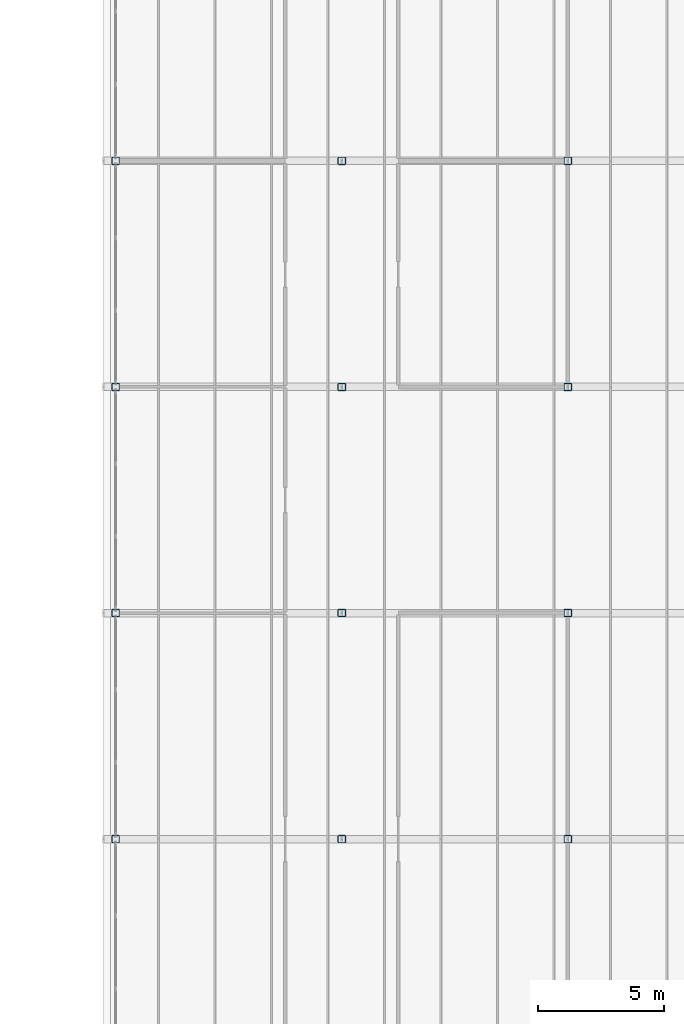
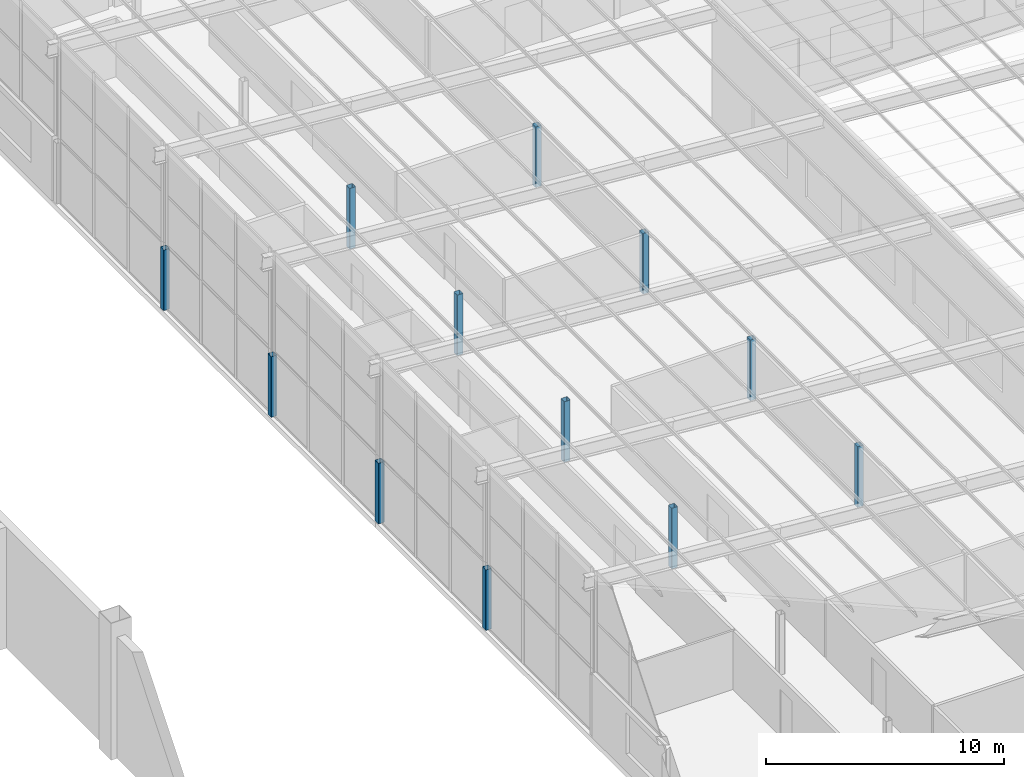
# One storey, part 12 of 85: 12 columns.
"""IFC4 building model written with IfcOpenShell, lengths in metres."""

from ifc_helpers import new_model, si_unit, direction, frame, origin, origin_2d, place, context, subcontext, project, spatial, hollow_rectangle, extrude, material, material_profile, profile_set, type_object, element, save


model = new_model("IFC4")

# Units and contexts
model_context = context("Model", 3, precision=1e-05, world=origin(), true_north=direction((0.0, 1.0)))
body_context = subcontext(model_context, "Body", "Model", "MODEL_VIEW")
ifc_project = project(units=[si_unit("LENGTHUNIT", "METRE"), si_unit("AREAUNIT", "SQUARE_METRE"), si_unit("VOLUMEUNIT", "CUBIC_METRE"), si_unit("PLANEANGLEUNIT", "RADIAN"), si_unit("MASSUNIT", "GRAM", prefix="KILO")], contexts=[model_context])

# Site, building, storey
site_placement = place(None, origin())
site = spatial("IfcSite", under=ifc_project, at=site_placement, CompositionType="ELEMENT")
building_placement = place(site_placement, origin())
building = spatial("IfcBuilding", under=site, at=building_placement, Name="Opaline Strait Convention Centre", CompositionType="ELEMENT")
storey_placement = place(building_placement, frame((0.0, 0.0, 17.0)))
storey = spatial("IfcBuildingStorey", under=building, at=storey_placement, Name="L03", CompositionType="ELEMENT", Elevation=17.0)

# Columns
ifc_material = material(Name="Steel Q355B", Category="steel")
ifc_material_profile = material_profile(ifc_material, hollow_rectangle(XDim=0.300048828125, YDim=0.300048828125, WallThickness=0.011962890625, InnerFilletRadius=0.02392578125, OuterFilletRadius=0.035888671875, at=origin_2d()), Name="RHS 300x300x12")
ifc_profile_set = profile_set([ifc_material_profile], Name="Steel Q355B")
column_type = type_object("IfcColumnType", Name="Roof post RHS 300x300x12", PredefinedType="COLUMN", material=ifc_profile_set)
for number, where, z_axis, x_axis, name in (
    (1, (279.0, 126.0, 0.0), (0.0, 0.0, 1.0), (1.0, 0.0, 0.0), "MRS1 roof post at 32/Q"),
    (2, (279.0, 135.0, 0.0), (0.0, 0.0, 1.0), (1.0, 0.0, 0.0), "MRS1 roof post at 32/R"),
    (3, (279.0, 144.0, 0.0), (0.0, 0.0, 1.0), (1.0, 0.0, 0.0), "MRS1 roof post at 32/S"),
    (4, (279.0, 153.0, 0.0), (0.0, 0.0, 1.0), (1.0, 0.0, 0.0), "MRS1 roof post at 32/T"),
    (5, (288.0, 126.0, 0.0), (0.0, 0.0, 1.0), (1.0, 0.0, 0.0), "MRS1 roof post at 33/Q"),
    (6, (288.0, 135.0, 0.0), (0.0, 0.0, 1.0), (1.0, 0.0, 0.0), "MRS1 roof post at 33/R"),
    (7, (288.0, 144.0, 0.0), (0.0, 0.0, 1.0), (1.0, 0.0, 0.0), "MRS1 roof post at 33/S"),
    (8, (288.0, 153.0, 0.0), (0.0, 0.0, 1.0), (1.0, 0.0, 0.0), "MRS1 roof post at 33/T"),
    (9, (297.0, 126.0, 0.0), (0.0, 0.0, 1.0), (1.0, 0.0, 0.0), "MRS1 roof post at 34/Q"),
    (10, (297.0, 135.0, 0.0), (0.0, 0.0, 1.0), (1.0, 0.0, 0.0), "MRS1 roof post at 34/R"),
    (11, (297.0, 144.0, 0.0), (0.0, 0.0, 1.0), (1.0, 0.0, 0.0), "MRS1 roof post at 34/S"),
    (12, (297.0, 153.0, 0.0), (0.0, 0.0, 1.0), (1.0, 0.0, 0.0), "MRS1 roof post at 34/T"),
):
    element("IfcColumn", number, at=place(storey_placement, frame(where, z_axis=z_axis, x_axis=x_axis)), inside=storey, type_object=column_type, Name=name, PredefinedType="COLUMN", context=body_context, shape_type="SweptSolid", body=[
        extrude(hollow_rectangle(XDim=0.300048828125, YDim=0.300048828125, WallThickness=0.011962890625, InnerFilletRadius=0.02392578125, OuterFilletRadius=0.035888671875, at=origin_2d()), origin(), (0.0, 0.0, 1.0), 3.10009765625),
    ])

save(model, "model.ifc")
